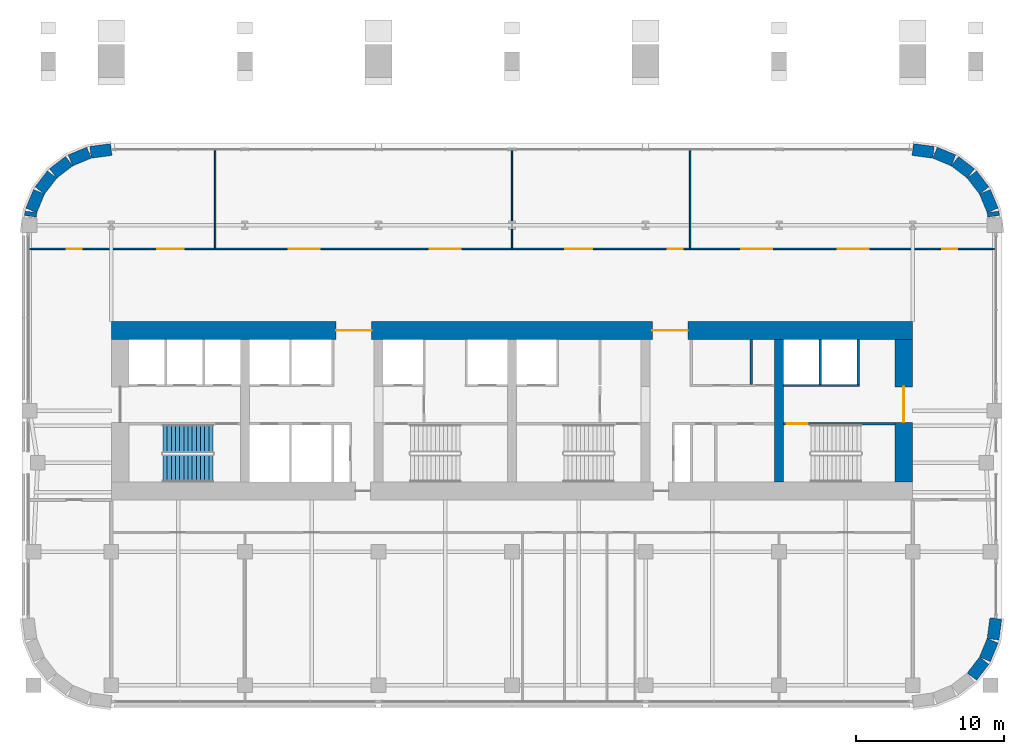
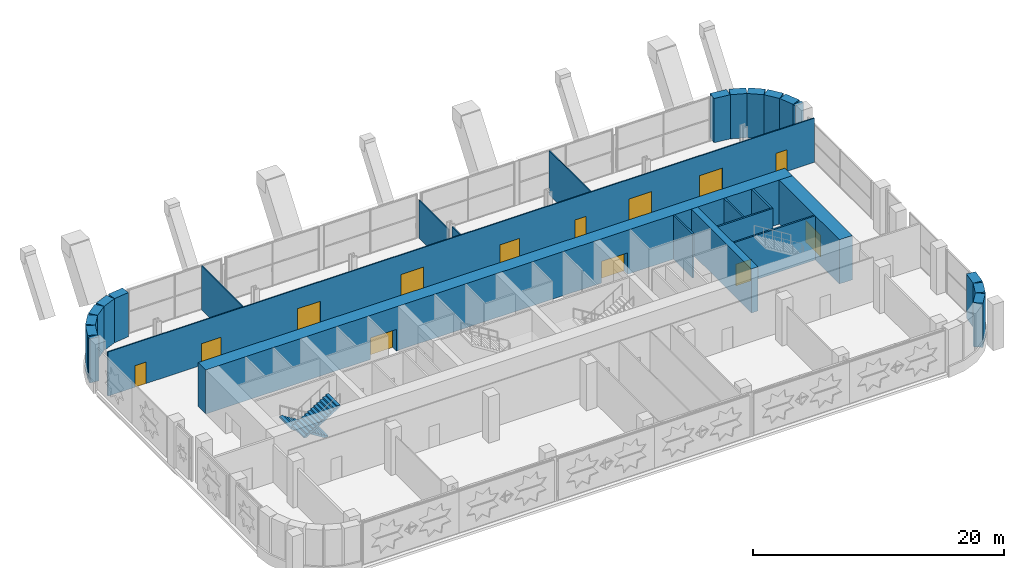
# One storey, part 18 of 24: 28 walls, 13 doors, 2 stair flights, 13 openings, 1 element without a shape of its own.
"""IFC4 building model written with IfcOpenShell, lengths in metres."""

from ifc_helpers import new_model, si_unit, direction, frame, frame_2d, origin, place, context, subcontext, project, spatial, polyline, rectangle, outline, extrude, material, layer, layer_set, type_object, element, fill, aggregate, save


model = new_model("IFC4")

# Units and contexts
model_context = context("Model", 3, precision=1e-05, world=origin(), true_north=direction((0.0, 1.0)))
body_context = subcontext(model_context, "Body", "Model", "MODEL_VIEW")
ifc_project = project(units=[si_unit("LENGTHUNIT", "METRE"), si_unit("AREAUNIT", "SQUARE_METRE"), si_unit("VOLUMEUNIT", "CUBIC_METRE"), si_unit("PLANEANGLEUNIT", "RADIAN"), si_unit("MASSUNIT", "GRAM", prefix="KILO")], contexts=[model_context])

# Site, building, storey
site_placement = place(None, origin())
site = spatial("IfcSite", under=ifc_project, at=site_placement, CompositionType="ELEMENT")
building_placement = place(site_placement, origin())
building = spatial("IfcBuilding", under=site, at=building_placement, Name="Zellij Exchange Tower", CompositionType="ELEMENT")
storey_placement = place(building_placement, frame((0.0, 0.0, 48.0)))
storey = spatial("IfcBuildingStorey", under=building, at=storey_placement, Name="L08", CompositionType="ELEMENT", Elevation=48.0)

# Walls
ifc_material_1 = material(Name="Concrete C70/85", Category="concrete")
ifc_layer_1 = layer(ifc_material_1, 0.60009765625)
ifc_layer_set_1 = layer_set([ifc_layer_1], Name="Concrete C70/85")
wall_type_1 = type_object("IfcWallType", Name="CORE-CW 600 C70/85", PredefinedType="SHEAR", material=ifc_layer_set_1)
wall_1_placement = place(storey_placement, frame((18.0, -12.800048828125, 0.0), z_axis=(0.0, 0.0, 1.0), x_axis=(0.0, 1.0, 0.0)))
element("IfcWall", 1, at=wall_1_placement, inside=storey, type_object=wall_type_1, Name="Core cross wall x 18 L08", PredefinedType="SHEAR", context=body_context, shape_type="SweptSolid", body=[
    extrude(rectangle(XDim=9.60009765625, YDim=0.60009765625, at=frame_2d((4.800048828125, 0.0))), origin(), (0.0, 0.0, 1.0), 4.300048828125),
])
ifc_material_2 = material(Name="Gypsum board partition")
ifc_layer_2 = layer(ifc_material_2, 0.14990234375)
ifc_layer_set_2 = layer_set([ifc_layer_2], Name="Gypsum board partition")
wall_type_2 = type_object("IfcWallType", Name="CORE-PW 150 Lift lobby wall", PredefinedType="PARTITIONING", material=ifc_layer_set_2)
wall_2_placement = place(storey_placement, frame((16.125, -6.22509765625, 0.0), z_axis=(0.0, 0.0, 1.0), x_axis=(0.0, 1.0, 0.0)))
element("IfcWall", 2, at=wall_2_placement, inside=storey, type_object=wall_type_2, Name="Lift lobby wall L08", PredefinedType="PARTITIONING", context=body_context, shape_type="SweptSolid", body=[
    extrude(rectangle(XDim=3.025146484375, YDim=0.14990234375, at=frame_2d((1.5126953125, 0.0))), origin(), (0.0, 0.0, 1.0), 4.300048828125),
])
ifc_material_3 = material(Name="Gypsum shaft wall system")
ifc_layer_3 = layer(ifc_material_3, 0.14990234375)
ifc_layer_set_3 = layer_set([ifc_layer_3], Name="Gypsum shaft wall system")
wall_type_3 = type_object("IfcWallType", Name="CORE-PW 150 Lift shaft wall", PredefinedType="PARTITIONING", material=ifc_layer_set_3)
for number, where, z_axis, x_axis, name in (
    (3, (20.77490234375, -6.22509765625, 0.0), (0.0, 0.0, 1.0), (0.0, 1.0, 0.0), "Lift shaft wall L08"),
    (4, (23.324951171875, -6.22509765625, 0.0), (0.0, 0.0, 1.0), (0.0, 1.0, 0.0), "Lift shaft wall L08"),
):
    element("IfcWall", number, at=place(storey_placement, frame(where, z_axis=z_axis, x_axis=x_axis)), inside=storey, type_object=wall_type_3, Name=name, PredefinedType="PARTITIONING", context=body_context, shape_type="SweptSolid", body=[
        extrude(rectangle(XDim=3.025146484375, YDim=0.14990234375, at=frame_2d((1.5126953125, 0.0))), origin(), (0.0, 0.0, 1.0), 4.300048828125),
    ])
wall_3_placement = place(storey_placement, frame((18.300048828125, -6.300048828125, 0.0), z_axis=(0.0, 0.0, 1.0), x_axis=(1.0, 0.0, 0.0)))
element("IfcWall", 5, at=wall_3_placement, inside=storey, type_object=wall_type_3, Name="Lift shaft wall L08", PredefinedType="PARTITIONING", context=body_context, shape_type="SweptSolid", body=[
    extrude(rectangle(XDim=5.099853515625, YDim=0.14990234375, at=frame_2d((2.5498046875, 0.0))), origin(), (0.0, 0.0, 1.0), 4.300048828125),
])

# Wall, openings, doors
ifc_layer_4 = layer(ifc_material_1, 1.199951171875)
ifc_layer_set_4 = layer_set([ifc_layer_4], Name="Concrete C70/85")
wall_type_4 = type_object("IfcWallType", Name="CORE-SW 1200 C70/85", PredefinedType="SHEAR", material=ifc_layer_set_4)
wall_4_placement = place(storey_placement, frame((-27.0, -2.60009765625, 0.0), z_axis=(0.0, 0.0, 1.0), x_axis=(1.0, 0.0, 0.0)))
wall_4 = element("IfcWall", 6, at=wall_4_placement, inside=storey, type_object=wall_type_4, Name="Core shear wall front L08", PredefinedType="SHEAR", context=body_context, shape_type="SweptSolid", body=[
    extrude(rectangle(XDim=54.0, YDim=1.199951171875, at=frame_2d((27.0, 0.0))), origin(), (0.0, 0.0, 1.0), 4.300048828125),
])
opening_1_placement = place(wall_4_placement, frame((15.14990234375, 0.0, 0.0)))
opening_1 = element("IfcOpeningElement", 7, at=opening_1_placement, cuts=wall_4, Name="Opening CA-06.11", PredefinedType="OPENING", context=body_context, shape_type="SweptSolid", body=[
    extrude(rectangle(XDim=2.39990234375, YDim=2.10009765625, at=frame_2d((1.199951171875, 1.050048828125))), frame((0.0, 0.61181640625, 0.0), z_axis=(0.0, -1.0, 0.0), x_axis=(1.0, 0.0, 0.0)), (0.0, 0.0, 1.0), 1.223876953125),
])
opening_2_placement = place(wall_4_placement, frame((36.449951171875, 0.0, 0.0)))
opening_2 = element("IfcOpeningElement", 8, at=opening_2_placement, cuts=wall_4, Name="Opening CA-06.21", PredefinedType="OPENING", context=body_context, shape_type="SweptSolid", body=[
    extrude(rectangle(XDim=2.39990234375, YDim=2.10009765625, at=frame_2d((1.199951171875, 1.050048828125))), frame((0.0, 0.61181640625, 0.0), z_axis=(0.0, -1.0, 0.0), x_axis=(1.0, 0.0, 0.0)), (0.0, 0.0, 1.0), 1.223876953125),
])
ifc_material_4 = material(Name="Hollow metal fire door")
door_type_1 = type_object("IfcDoorType", Name="CORE-D CE Core entrance door 2400x2100 20 MIN", OperationType="NOTDEFINED", PredefinedType="DOOR", material=ifc_material_4)
door_1_placement = place(opening_1_placement, origin())
door_1 = element("IfcDoor", 9, at=door_1_placement, inside=storey, type_object=door_type_1, Name="Core entrance door CA-06.11", OperationType="DOUBLE_DOOR_SINGLE_SWING", OverallHeight=2.10009765625, OverallWidth=2.39990234375, PredefinedType="DOOR", context=body_context, shape_type="SweptSolid", body=[
    extrude(rectangle(XDim=2.39990234375, YDim=2.10009765625, at=frame_2d((1.199951171875, 1.050048828125))), frame((0.0, 0.02490234375, 0.0), z_axis=(0.0, -1.0, 0.0), x_axis=(1.0, 0.0, 0.0)), (0.0, 0.0, 1.0), 0.050048828125),
])
fill(opening_1, door_1)
door_2_placement = place(opening_2_placement, origin())
door_2 = element("IfcDoor", 10, at=door_2_placement, inside=storey, type_object=door_type_1, Name="Core entrance door CA-06.21", OperationType="DOUBLE_DOOR_SINGLE_SWING", OverallHeight=2.10009765625, OverallWidth=2.39990234375, PredefinedType="DOOR", context=body_context, shape_type="SweptSolid", body=[
    extrude(rectangle(XDim=2.39990234375, YDim=2.10009765625, at=frame_2d((1.199951171875, 1.050048828125))), frame((0.0, 0.02490234375, 0.0), z_axis=(0.0, -1.0, 0.0), x_axis=(1.0, 0.0, 0.0)), (0.0, 0.0, 1.0), 0.050048828125),
])
fill(opening_2, door_2)

# Wall, opening, door
wall_5_placement = place(storey_placement, frame((26.39990234375, -12.800048828125, 0.0), z_axis=(0.0, 0.0, 1.0), x_axis=(0.0, 1.0, 0.0)))
wall_5 = element("IfcWall", 11, at=wall_5_placement, inside=storey, type_object=wall_type_4, Name="Core shear wall end e L08", PredefinedType="SHEAR", context=body_context, shape_type="SweptSolid", body=[
    extrude(rectangle(XDim=9.60009765625, YDim=1.199951171875, at=frame_2d((4.800048828125, 0.0))), origin(), (0.0, 0.0, 1.0), 4.300048828125),
])
opening_3_placement = place(wall_5_placement, frame((4.011962890625, 0.0, 0.0)))
opening_3 = element("IfcOpeningElement", 12, at=opening_3_placement, cuts=wall_5, Name="Opening CA-06.28", PredefinedType="OPENING", context=body_context, shape_type="SweptSolid", body=[
    extrude(rectangle(XDim=2.39990234375, YDim=2.10009765625, at=frame_2d((1.199951171875, 1.050048828125))), frame((0.0, 0.61181640625, 0.0), z_axis=(0.0, -1.0, 0.0), x_axis=(1.0, 0.0, 0.0)), (0.0, 0.0, 1.0), 1.223876953125),
])
door_3_placement = place(opening_3_placement, origin())
door_3 = element("IfcDoor", 13, at=door_3_placement, inside=storey, type_object=door_type_1, Name="Core entrance door CA-06.28", OperationType="DOUBLE_DOOR_SINGLE_SWING", OverallHeight=2.10009765625, OverallWidth=2.39990234375, PredefinedType="DOOR", context=body_context, shape_type="SweptSolid", body=[
    extrude(rectangle(XDim=2.39990234375, YDim=2.10009765625, at=frame_2d((1.199951171875, 1.050048828125))), frame((0.0, 0.02490234375, 0.0), z_axis=(0.0, -1.0, 0.0), x_axis=(1.0, 0.0, 0.0)), (0.0, 0.0, 1.0), 0.050048828125),
])
fill(opening_3, door_3)

ifc_layer_5 = layer(ifc_material_1, 0.14990234375)
ifc_layer_set_5 = layer_set([ifc_layer_5], Name="Concrete C70/85")
wall_type_5 = type_object("IfcWallType", Name="CORE-SWS 150 C70/85", PredefinedType="SHEAR", material=ifc_layer_set_5)
wall_6_placement = place(storey_placement, frame((18.300048828125, -8.875, 0.0), z_axis=(0.0, 0.0, 1.0), x_axis=(1.0, 0.0, 0.0)))
wall_6 = element("IfcWall", 14, at=wall_6_placement, inside=storey, type_object=wall_type_5, Name="Stair enclosure wall L08", PredefinedType="SHEAR", context=body_context, shape_type="SweptSolid", body=[
    extrude(rectangle(XDim=7.5, YDim=0.14990234375, at=frame_2d((3.75, 0.0))), origin(), (0.0, 0.0, 1.0), 4.300048828125),
])
opening_4_placement = place(wall_6_placement, frame((0.22509765625, 0.0, 0.0)))
opening_4 = element("IfcOpeningElement", 15, at=opening_4_placement, cuts=wall_6, Name="Opening CA-06.27", PredefinedType="OPENING", context=body_context, shape_type="SweptSolid", body=[
    extrude(rectangle(XDim=1.39990234375, YDim=2.10009765625, at=frame_2d((0.699951171875, 1.050048828125))), frame((0.0, 0.0869140625, 0.0), z_axis=(0.0, -1.0, 0.0), x_axis=(1.0, 0.0, 0.0)), (0.0, 0.0, 1.0), 0.173828125),
])
door_type_2 = type_object("IfcDoorType", Name="CORE-D SD Stair door 1400x2100 1.5 HR", OperationType="NOTDEFINED", PredefinedType="DOOR", material=ifc_material_4)
door_4_placement = place(opening_4_placement, origin())
door_4 = element("IfcDoor", 16, at=door_4_placement, inside=storey, type_object=door_type_2, Name="Stair door CA-06.27", OperationType="DOUBLE_DOOR_SINGLE_SWING", OverallHeight=2.10009765625, OverallWidth=1.39990234375, PredefinedType="DOOR", context=body_context, shape_type="SweptSolid", body=[
    extrude(rectangle(XDim=1.39990234375, YDim=2.10009765625, at=frame_2d((0.699951171875, 1.050048828125))), frame((0.0, 0.02490234375, 0.0), z_axis=(0.0, -1.0, 0.0), x_axis=(1.0, 0.0, 0.0)), (0.0, 0.0, 1.0), 0.050048828125),
])
fill(opening_4, door_4)

# Walls
ifc_material_5 = material(Name="Precast concrete C40/50", Category="concrete")
ifc_layer_6 = layer(ifc_material_5, 0.800048828125)
ifc_layer_set_6 = layer_set([ifc_layer_6], Name="Precast concrete C40/50")
wall_type_6 = type_object("IfcWallType", Name="ENV-EW1 Precast stone-piered wall 800", PredefinedType="SOLIDWALL", material=ifc_layer_set_6)
wall_7_placement = place(storey_placement, frame((30.9892578125, -25.91552734375, 0.0), z_axis=(0.0, 0.0, 1.0), x_axis=(0.608866226366, 0.793272915452, 0.0)))
element("IfcWall", 17, at=wall_7_placement, inside=storey, type_object=wall_type_6, Name="fac.L08.04", PredefinedType="SOLIDWALL", context=body_context, shape_type="SweptSolid", body=[
    extrude(rectangle(XDim=1.355712890625, YDim=0.800048828125, at=frame_2d((0.677734375, 0.0))), origin(), (0.0, 0.0, 1.0), 4.300048828125),
])
wall_8_placement = place(storey_placement, frame((31.866943359375, -24.74951171875, 0.0), z_axis=(0.0, 0.0, 1.0), x_axis=(0.38276009378, 0.923847774587, 0.0)))
element("IfcWall", 18, at=wall_8_placement, inside=storey, type_object=wall_type_6, Name="fac.L08.05", PredefinedType="SOLIDWALL", context=body_context, shape_type="SweptSolid", body=[
    extrude(rectangle(XDim=1.35546875, YDim=0.800048828125, at=frame_2d((0.677734375, 0.0))), origin(), (0.0, 0.0, 1.0), 4.300048828125),
])
wall_9_placement = place(storey_placement, frame((32.412841796875, -23.396240234375, 0.0), z_axis=(0.0, 0.0, 1.0), x_axis=(0.130517283865, 0.99144603414, 0.0)))
element("IfcWall", 19, at=wall_9_placement, inside=storey, type_object=wall_type_6, Name="fac.L08.06", PredefinedType="SOLIDWALL", context=body_context, shape_type="SweptSolid", body=[
    extrude(rectangle(XDim=1.408447265625, YDim=0.800048828125, at=frame_2d((0.7041015625, 0.0))), origin(), (0.0, 0.0, 1.0), 4.300048828125),
])
wall_10_placement = place(storey_placement, frame((32.451416015625, 5.101806640625, 0.0), z_axis=(0.0, 0.0, 1.0), x_axis=(-0.129901534033, 0.991526899008, 0.0)))
element("IfcWall", 20, at=wall_10_placement, inside=storey, type_object=wall_type_6, Name="fac.L08.08", PredefinedType="SOLIDWALL", context=body_context, shape_type="SweptSolid", body=[
    extrude(rectangle(XDim=0.296875, YDim=0.800048828125, at=frame_2d((0.1484375, 0.0))), origin(), (0.0, 0.0, 1.0), 4.300048828125),
])
wall_11_placement = place(storey_placement, frame((32.3857421875, 5.497314453125, 0.0), z_axis=(0.0, 0.0, 1.0), x_axis=(-0.38276009378, 0.923847774587, 0.0)))
element("IfcWall", 21, at=wall_11_placement, inside=storey, type_object=wall_type_6, Name="fac.L08.09", PredefinedType="SOLIDWALL", context=body_context, shape_type="SweptSolid", body=[
    extrude(rectangle(XDim=1.35546875, YDim=0.800048828125, at=frame_2d((0.677734375, 0.0))), origin(), (0.0, 0.0, 1.0), 4.300048828125),
])
for number, where, z_axis, x_axis, name in (
    (22, (31.814697265625, 6.840087890625, 0.0), (0.0, 0.0, 1.0), (-0.608866226366, 0.793272915452, 0.0), "fac.L08.10"),
    (23, (30.91552734375, 7.9892578125, 0.0), (0.0, 0.0, 1.0), (-0.793272915452, 0.608866226366, 0.0), "fac.L08.11"),
):
    element("IfcWall", number, at=place(storey_placement, frame(where, z_axis=z_axis, x_axis=x_axis)), inside=storey, type_object=wall_type_6, Name=name, PredefinedType="SOLIDWALL", context=body_context, shape_type="SweptSolid", body=[
        extrude(rectangle(XDim=1.355712890625, YDim=0.800048828125, at=frame_2d((0.677734375, 0.0))), origin(), (0.0, 0.0, 1.0), 4.300048828125),
    ])
wall_12_placement = place(storey_placement, frame((29.74951171875, 8.866943359375, 0.0), z_axis=(0.0, 0.0, 1.0), x_axis=(-0.923847774587, 0.38276009378, 0.0)))
element("IfcWall", 24, at=wall_12_placement, inside=storey, type_object=wall_type_6, Name="fac.L08.12", PredefinedType="SOLIDWALL", context=body_context, shape_type="SweptSolid", body=[
    extrude(rectangle(XDim=1.35546875, YDim=0.800048828125, at=frame_2d((0.677734375, 0.0))), origin(), (0.0, 0.0, 1.0), 4.300048828125),
])
for number, where, z_axis, x_axis, name in (
    (25, (28.396240234375, 9.412841796875, 0.0), (0.0, 0.0, 1.0), (-0.99144603414, 0.130517283865, 0.0), "fac.L08.13"),
    (26, (-26.999755859375, 9.5966796875, 0.0), (0.0, 0.0, 1.0), (-0.99144603414, -0.130517283865, 0.0), "fac.L08.15"),
):
    element("IfcWall", number, at=place(storey_placement, frame(where, z_axis=z_axis, x_axis=x_axis)), inside=storey, type_object=wall_type_6, Name=name, PredefinedType="SOLIDWALL", context=body_context, shape_type="SweptSolid", body=[
        extrude(rectangle(XDim=1.408447265625, YDim=0.800048828125, at=frame_2d((0.7041015625, 0.0))), origin(), (0.0, 0.0, 1.0), 4.300048828125),
    ])
wall_13_placement = place(storey_placement, frame((-28.497314453125, 9.3857421875, 0.0), z_axis=(0.0, 0.0, 1.0), x_axis=(-0.923847774587, -0.38276009378, 0.0)))
element("IfcWall", 27, at=wall_13_placement, inside=storey, type_object=wall_type_6, Name="fac.L08.16", PredefinedType="SOLIDWALL", context=body_context, shape_type="SweptSolid", body=[
    extrude(rectangle(XDim=1.35546875, YDim=0.800048828125, at=frame_2d((0.677734375, 0.0))), origin(), (0.0, 0.0, 1.0), 4.300048828125),
])
for number, where, z_axis, x_axis, name in (
    (28, (-29.840087890625, 8.814697265625, 0.0), (0.0, 0.0, 1.0), (-0.793272915452, -0.608866226366, 0.0), "fac.L08.17"),
    (29, (-30.9892578125, 7.91552734375, 0.0), (0.0, 0.0, 1.0), (-0.608866226366, -0.793272915452, 0.0), "fac.L08.18"),
):
    element("IfcWall", number, at=place(storey_placement, frame(where, z_axis=z_axis, x_axis=x_axis)), inside=storey, type_object=wall_type_6, Name=name, PredefinedType="SOLIDWALL", context=body_context, shape_type="SweptSolid", body=[
        extrude(rectangle(XDim=1.355712890625, YDim=0.800048828125, at=frame_2d((0.677734375, 0.0))), origin(), (0.0, 0.0, 1.0), 4.300048828125),
    ])
wall_14_placement = place(storey_placement, frame((-31.866943359375, 6.74951171875, 0.0), z_axis=(0.0, 0.0, 1.0), x_axis=(-0.38276009378, -0.923847774587, 0.0)))
element("IfcWall", 30, at=wall_14_placement, inside=storey, type_object=wall_type_6, Name="fac.L08.19", PredefinedType="SOLIDWALL", context=body_context, shape_type="SweptSolid", body=[
    extrude(rectangle(XDim=1.35546875, YDim=0.800048828125, at=frame_2d((0.677734375, 0.0))), origin(), (0.0, 0.0, 1.0), 4.300048828125),
])
wall_15_placement = place(storey_placement, frame((-32.412841796875, 5.396240234375, 0.0), z_axis=(0.0, 0.0, 1.0), x_axis=(-0.129901534033, -0.991526899008, 0.0)))
element("IfcWall", 31, at=wall_15_placement, inside=storey, type_object=wall_type_6, Name="fac.L08.20", PredefinedType="SOLIDWALL", context=body_context, shape_type="SweptSolid", body=[
    extrude(rectangle(XDim=0.296875, YDim=0.800048828125, at=frame_2d((0.1484375, 0.0))), origin(), (0.0, 0.0, 1.0), 4.300048828125),
])

# Wall, openings, doors
ifc_material_6 = material(Name="Gypsum board partition on steel studs", Category="steel")
ifc_layer_7 = layer(ifc_material_6, 0.10009765625)
ifc_layer_set_7 = layer_set([ifc_layer_7], Name="Gypsum board partition on steel studs")
wall_type_7 = type_object("IfcWallType", Name="FIT-PARTITION-100", PredefinedType="PARTITIONING", material=ifc_layer_set_7)
wall_16_placement = place(storey_placement, frame((-32.51611328125, 2.89990234375, 0.0), z_axis=(0.0, 0.0, 1.0), x_axis=(1.0, 0.0, 0.0)))
wall_16 = element("IfcWall", 32, at=wall_16_placement, inside=storey, type_object=wall_type_7, Name="FIT-PARTITION-100 018", PredefinedType="PARTITIONING", context=body_context, shape_type="SweptSolid", body=[
    extrude(rectangle(XDim=65.0322265625, YDim=0.10009765625, at=frame_2d((32.51611328125, 0.0))), origin(), (0.0, 0.0, 1.0), 4.300048828125),
])
opening_5_placement = place(wall_16_placement, frame((2.51611328125, 0.0, 0.0)))
opening_5 = element("IfcOpeningElement", 33, at=opening_5_placement, cuts=wall_16, Name="Opening G8.10", PredefinedType="OPENING", context=body_context, shape_type="SweptSolid", body=[
    extrude(rectangle(XDim=1.0, YDim=2.10009765625, at=frame_2d((0.5, 1.050048828125))), frame((0.0, 0.06201171875, 0.0), z_axis=(0.0, -1.0, 0.0), x_axis=(1.0, 0.0, 0.0)), (0.0, 0.0, 1.0), 0.1240234375),
])
opening_6_placement = place(wall_16_placement, frame((8.615966796875, 0.0, 0.0)))
opening_6 = element("IfcOpeningElement", 34, at=opening_6_placement, cuts=wall_16, Name="Opening G8.11", PredefinedType="OPENING", context=body_context, shape_type="SweptSolid", body=[
    extrude(rectangle(XDim=1.800048828125, YDim=2.10009765625, at=frame_2d((0.89990234375, 1.050048828125))), frame((0.0, 0.06201171875, 0.0), z_axis=(0.0, -1.0, 0.0), x_axis=(1.0, 0.0, 0.0)), (0.0, 0.0, 1.0), 0.1240234375),
])
opening_7_placement = place(wall_16_placement, frame((17.466064453125, 0.0, 0.0)))
opening_7 = element("IfcOpeningElement", 35, at=opening_7_placement, cuts=wall_16, Name="Opening G8.12", PredefinedType="OPENING", context=body_context, shape_type="SweptSolid", body=[
    extrude(rectangle(XDim=2.10009765625, YDim=2.39990234375, at=frame_2d((1.050048828125, 1.199951171875))), frame((0.0, 0.06201171875, 0.0), z_axis=(0.0, -1.0, 0.0), x_axis=(1.0, 0.0, 0.0)), (0.0, 0.0, 1.0), 0.1240234375),
])
opening_8_placement = place(wall_16_placement, frame((26.966064453125, 0.0, 0.0)))
opening_8 = element("IfcOpeningElement", 36, at=opening_8_placement, cuts=wall_16, Name="Opening G8.13", PredefinedType="OPENING", context=body_context, shape_type="SweptSolid", body=[
    extrude(rectangle(XDim=2.10009765625, YDim=2.39990234375, at=frame_2d((1.050048828125, 1.199951171875))), frame((0.0, 0.06201171875, 0.0), z_axis=(0.0, -1.0, 0.0), x_axis=(1.0, 0.0, 0.0)), (0.0, 0.0, 1.0), 0.1240234375),
])
opening_9_placement = place(wall_16_placement, frame((36.115966796875, 0.0, 0.0)))
opening_9 = element("IfcOpeningElement", 37, at=opening_9_placement, cuts=wall_16, Name="Opening G8.14", PredefinedType="OPENING", context=body_context, shape_type="SweptSolid", body=[
    extrude(rectangle(XDim=1.800048828125, YDim=2.10009765625, at=frame_2d((0.89990234375, 1.050048828125))), frame((0.0, 0.06201171875, 0.0), z_axis=(0.0, -1.0, 0.0), x_axis=(1.0, 0.0, 0.0)), (0.0, 0.0, 1.0), 0.1240234375),
])
opening_10_placement = place(wall_16_placement, frame((43.01611328125, 0.0, 0.0)))
opening_10 = element("IfcOpeningElement", 38, at=opening_10_placement, cuts=wall_16, Name="Opening G8.15", PredefinedType="OPENING", context=body_context, shape_type="SweptSolid", body=[
    extrude(rectangle(XDim=1.0, YDim=2.10009765625, at=frame_2d((0.5, 1.050048828125))), frame((0.0, 0.06201171875, 0.0), z_axis=(0.0, -1.0, 0.0), x_axis=(1.0, 0.0, 0.0)), (0.0, 0.0, 1.0), 0.1240234375),
])
opening_11_placement = place(wall_16_placement, frame((47.966064453125, 0.0, 0.0)))
opening_11 = element("IfcOpeningElement", 39, at=opening_11_placement, cuts=wall_16, Name="Opening G8.16", PredefinedType="OPENING", context=body_context, shape_type="SweptSolid", body=[
    extrude(rectangle(XDim=2.10009765625, YDim=2.39990234375, at=frame_2d((1.050048828125, 1.199951171875))), frame((0.0, 0.06201171875, 0.0), z_axis=(0.0, -1.0, 0.0), x_axis=(1.0, 0.0, 0.0)), (0.0, 0.0, 1.0), 0.1240234375),
])
opening_12_placement = place(wall_16_placement, frame((54.466064453125, 0.0, 0.0)))
opening_12 = element("IfcOpeningElement", 40, at=opening_12_placement, cuts=wall_16, Name="Opening G8.17", PredefinedType="OPENING", context=body_context, shape_type="SweptSolid", body=[
    extrude(rectangle(XDim=2.10009765625, YDim=2.39990234375, at=frame_2d((1.050048828125, 1.199951171875))), frame((0.0, 0.06201171875, 0.0), z_axis=(0.0, -1.0, 0.0), x_axis=(1.0, 0.0, 0.0)), (0.0, 0.0, 1.0), 0.1240234375),
])
opening_13_placement = place(wall_16_placement, frame((61.51611328125, 0.0, 0.0)))
opening_13 = element("IfcOpeningElement", 41, at=opening_13_placement, cuts=wall_16, Name="Opening G8.18", PredefinedType="OPENING", context=body_context, shape_type="SweptSolid", body=[
    extrude(rectangle(XDim=1.0, YDim=2.10009765625, at=frame_2d((0.5, 1.050048828125))), frame((0.0, 0.06201171875, 0.0), z_axis=(0.0, -1.0, 0.0), x_axis=(1.0, 0.0, 0.0)), (0.0, 0.0, 1.0), 0.1240234375),
])
ifc_material_7 = material(Name="Timber door set", Category="wood")
door_type_3 = type_object("IfcDoorType", Name="FIT-D2-WIDE-1000X2100", OperationType="SINGLE_SWING_LEFT", PredefinedType="DOOR", material=ifc_material_7)
door_5_placement = place(opening_5_placement, origin())
door_5 = element("IfcDoor", 42, at=door_5_placement, inside=storey, type_object=door_type_3, Name="Door G8.10", OperationType="SINGLE_SWING_RIGHT", OverallHeight=2.10009765625, OverallWidth=1.0, PredefinedType="DOOR", context=body_context, shape_type="SweptSolid", body=[
    extrude(rectangle(XDim=1.0, YDim=2.10009765625, at=frame_2d((0.5, 1.050048828125))), frame((0.0, 0.02490234375, 0.0), z_axis=(0.0, -1.0, 0.0), x_axis=(1.0, 0.0, 0.0)), (0.0, 0.0, 1.0), 0.050048828125),
])
fill(opening_5, door_5)
door_6_placement = place(opening_10_placement, origin())
door_6 = element("IfcDoor", 43, at=door_6_placement, inside=storey, type_object=door_type_3, Name="Door G8.15", OperationType="SINGLE_SWING_RIGHT", OverallHeight=2.10009765625, OverallWidth=1.0, PredefinedType="DOOR", context=body_context, shape_type="SweptSolid", body=[
    extrude(rectangle(XDim=1.0, YDim=2.10009765625, at=frame_2d((0.5, 1.050048828125))), frame((0.0, 0.02490234375, 0.0), z_axis=(0.0, -1.0, 0.0), x_axis=(1.0, 0.0, 0.0)), (0.0, 0.0, 1.0), 0.050048828125),
])
fill(opening_10, door_6)
door_7_placement = place(opening_13_placement, origin())
door_7 = element("IfcDoor", 44, at=door_7_placement, inside=storey, type_object=door_type_3, Name="Door G8.18", OperationType="SINGLE_SWING_LEFT", OverallHeight=2.10009765625, OverallWidth=1.0, PredefinedType="DOOR", context=body_context, shape_type="SweptSolid", body=[
    extrude(rectangle(XDim=1.0, YDim=2.10009765625, at=frame_2d((0.5, 1.050048828125))), frame((0.0, 0.02490234375, 0.0), z_axis=(0.0, -1.0, 0.0), x_axis=(1.0, 0.0, 0.0)), (0.0, 0.0, 1.0), 0.050048828125),
])
fill(opening_13, door_7)
door_type_4 = type_object("IfcDoorType", Name="FIT-D3-DOUBLE-1800X2100", OperationType="DOUBLE_DOOR_SINGLE_SWING", PredefinedType="DOOR", material=ifc_material_7)
door_8_placement = place(opening_6_placement, origin())
door_8 = element("IfcDoor", 45, at=door_8_placement, inside=storey, type_object=door_type_4, Name="Door G8.11", OperationType="DOUBLE_DOOR_SINGLE_SWING", OverallHeight=2.10009765625, OverallWidth=1.800048828125, PredefinedType="DOOR", context=body_context, shape_type="SweptSolid", body=[
    extrude(rectangle(XDim=1.800048828125, YDim=2.10009765625, at=frame_2d((0.89990234375, 1.050048828125))), frame((0.0, 0.02490234375, 0.0), z_axis=(0.0, -1.0, 0.0), x_axis=(1.0, 0.0, 0.0)), (0.0, 0.0, 1.0), 0.050048828125),
])
fill(opening_6, door_8)
door_9_placement = place(opening_9_placement, origin())
door_9 = element("IfcDoor", 46, at=door_9_placement, inside=storey, type_object=door_type_4, Name="Door G8.14", OperationType="DOUBLE_DOOR_SINGLE_SWING", OverallHeight=2.10009765625, OverallWidth=1.800048828125, PredefinedType="DOOR", context=body_context, shape_type="SweptSolid", body=[
    extrude(rectangle(XDim=1.800048828125, YDim=2.10009765625, at=frame_2d((0.89990234375, 1.050048828125))), frame((0.0, 0.02490234375, 0.0), z_axis=(0.0, -1.0, 0.0), x_axis=(1.0, 0.0, 0.0)), (0.0, 0.0, 1.0), 0.050048828125),
])
fill(opening_9, door_9)
door_type_5 = type_object("IfcDoorType", Name="FIT-D7-ASSEMBLY-2100X2400", OperationType="DOUBLE_DOOR_SINGLE_SWING", PredefinedType="DOOR", material=ifc_material_7)
door_10_placement = place(opening_7_placement, origin())
door_10 = element("IfcDoor", 47, at=door_10_placement, inside=storey, type_object=door_type_5, Name="Door G8.12", OperationType="DOUBLE_DOOR_SINGLE_SWING", OverallHeight=2.39990234375, OverallWidth=2.10009765625, PredefinedType="DOOR", context=body_context, shape_type="SweptSolid", body=[
    extrude(rectangle(XDim=2.10009765625, YDim=2.39990234375, at=frame_2d((1.050048828125, 1.199951171875))), frame((0.0, 0.02490234375, 0.0), z_axis=(0.0, -1.0, 0.0), x_axis=(1.0, 0.0, 0.0)), (0.0, 0.0, 1.0), 0.050048828125),
])
fill(opening_7, door_10)
door_11_placement = place(opening_8_placement, origin())
door_11 = element("IfcDoor", 48, at=door_11_placement, inside=storey, type_object=door_type_5, Name="Door G8.13", OperationType="DOUBLE_DOOR_SINGLE_SWING", OverallHeight=2.39990234375, OverallWidth=2.10009765625, PredefinedType="DOOR", context=body_context, shape_type="SweptSolid", body=[
    extrude(rectangle(XDim=2.10009765625, YDim=2.39990234375, at=frame_2d((1.050048828125, 1.199951171875))), frame((0.0, 0.02490234375, 0.0), z_axis=(0.0, -1.0, 0.0), x_axis=(1.0, 0.0, 0.0)), (0.0, 0.0, 1.0), 0.050048828125),
])
fill(opening_8, door_11)
door_12_placement = place(opening_11_placement, origin())
door_12 = element("IfcDoor", 49, at=door_12_placement, inside=storey, type_object=door_type_5, Name="Door G8.16", OperationType="DOUBLE_DOOR_SINGLE_SWING", OverallHeight=2.39990234375, OverallWidth=2.10009765625, PredefinedType="DOOR", context=body_context, shape_type="SweptSolid", body=[
    extrude(rectangle(XDim=2.10009765625, YDim=2.39990234375, at=frame_2d((1.050048828125, 1.199951171875))), frame((0.0, 0.02490234375, 0.0), z_axis=(0.0, -1.0, 0.0), x_axis=(1.0, 0.0, 0.0)), (0.0, 0.0, 1.0), 0.050048828125),
])
fill(opening_11, door_12)
door_13_placement = place(opening_12_placement, origin())
door_13 = element("IfcDoor", 50, at=door_13_placement, inside=storey, type_object=door_type_5, Name="Door G8.17", OperationType="DOUBLE_DOOR_SINGLE_SWING", OverallHeight=2.39990234375, OverallWidth=2.10009765625, PredefinedType="DOOR", context=body_context, shape_type="SweptSolid", body=[
    extrude(rectangle(XDim=2.10009765625, YDim=2.39990234375, at=frame_2d((1.050048828125, 1.199951171875))), frame((0.0, 0.02490234375, 0.0), z_axis=(0.0, -1.0, 0.0), x_axis=(1.0, 0.0, 0.0)), (0.0, 0.0, 1.0), 0.050048828125),
])
fill(opening_12, door_13)

# Walls
wall_17_placement = place(storey_placement, frame((-20.0, 2.949951171875, 0.0), z_axis=(0.0, 0.0, 1.0), x_axis=(0.0, 1.0, 0.0)))
element("IfcWall", 51, at=wall_17_placement, inside=storey, type_object=wall_type_7, Name="FIT-PARTITION-100 019", PredefinedType="PARTITIONING", context=body_context, shape_type="SweptSolid", body=[
    extrude(rectangle(XDim=6.566162109375, YDim=0.10009765625, at=frame_2d((3.283203125, 0.0))), origin(), (0.0, 0.0, 1.0), 4.300048828125),
])
wall_18_placement = place(storey_placement, frame((0.0, 2.949951171875, 0.0), z_axis=(0.0, 0.0, 1.0), x_axis=(0.0, 1.0, 0.0)))
element("IfcWall", 52, at=wall_18_placement, inside=storey, type_object=wall_type_7, Name="FIT-PARTITION-100 020", PredefinedType="PARTITIONING", context=body_context, shape_type="SweptSolid", body=[
    extrude(rectangle(XDim=1.265625, YDim=0.10009765625, at=frame_2d((0.6328125, 0.0))), origin(), (0.0, 0.0, 1.0), 4.300048828125),
])
wall_19_placement = place(storey_placement, frame((0.0, 4.784423828125, 0.0), z_axis=(0.0, 0.0, 1.0), x_axis=(0.0, 1.0, 0.0)))
element("IfcWall", 53, at=wall_19_placement, inside=storey, type_object=wall_type_7, Name="FIT-PARTITION-100 021", PredefinedType="PARTITIONING", context=body_context, shape_type="SweptSolid", body=[
    extrude(rectangle(XDim=4.715576171875, YDim=0.10009765625, at=frame_2d((2.35791015625, 0.0))), origin(), (0.0, 0.0, 1.0), 3.687744140625),
])
wall_20_placement = place(storey_placement, frame((12.0, 2.949951171875, 0.0), z_axis=(0.0, 0.0, 1.0), x_axis=(0.0, 1.0, 0.0)))
element("IfcWall", 54, at=wall_20_placement, inside=storey, type_object=wall_type_7, Name="FIT-PARTITION-100 022", PredefinedType="PARTITIONING", context=body_context, shape_type="SweptSolid", body=[
    extrude(rectangle(XDim=6.566162109375, YDim=0.10009765625, at=frame_2d((3.283203125, 0.0))), origin(), (0.0, 0.0, 1.0), 4.300048828125),
])

# Stair, stair flights
ifc_material_8 = material(Name="Concrete C40/50", Category="concrete")
stair_type = type_object("IfcStairType", Name="CORE-ST exit stair 1850 wide", PredefinedType="HALF_TURN_STAIR", material=ifc_material_8)
stair_placement = place(storey_placement, origin())
stair = element("IfcStair", 55, at=stair_placement, inside=storey, type_object=stair_type, Name="L08 exit stair ST1", PredefinedType="HALF_TURN_STAIR")
stair_flight_type = type_object("IfcStairFlightType", Name="CORE-SF flight 1850 riser 173.1 going 280", PredefinedType="STRAIGHT", material=ifc_material_8)
stair_flight_1_placement = place(storey_placement, frame((-20.14990234375, -9.875, 0.0), z_axis=(0.0, 0.0, 1.0), x_axis=(-1.0, 0.0, 0.0)))
stair_flight_1 = element("IfcStairFlight", 56, at=stair_flight_1_placement, type_object=stair_flight_type, Name="ST1 flight 1", NumberOfRisers=13, NumberOfTreads=12, PredefinedType="STRAIGHT", RiserHeight=0.173076923, TreadLength=0.28, context=body_context, shape_type="SweptSolid", body=[
    extrude(outline(polyline([(0.0, 0.0), (0.0, 0.173095703125), (0.280029296875, 0.173095703125), (0.280029296875, 0.34619140625), (0.56005859375, 0.34619140625), (0.56005859375, 0.519287109375), (0.840087890625, 0.519287109375), (0.840087890625, 0.6923828125), (1.1201171875, 0.6923828125), (1.1201171875, 0.865478515625), (1.39990234375, 0.865478515625), (1.39990234375, 1.03857421875), (1.679931640625, 1.03857421875), (1.679931640625, 1.21142578125), (1.9599609375, 1.21142578125), (1.9599609375, 1.384521484375), (2.239990234375, 1.384521484375), (2.239990234375, 1.5576171875), (2.52001953125, 1.5576171875), (2.52001953125, 1.730712890625), (2.800048828125, 1.730712890625), (2.800048828125, 1.90380859375), (3.080078125, 1.90380859375), (3.080078125, 2.076904296875), (3.360107421875, 2.076904296875), (3.360107421875, 2.25), (3.360107421875, 1.900634765625), (0.28515625, 0.0), (0.0, 0.0)])), frame((0.0, 0.925048828125, 0.0), z_axis=(0.0, -1.0, 0.0), x_axis=(1.0, 0.0, 0.0)), (0.0, 0.0, 1.0), 1.85009765625),
])
stair_flight_2_placement = place(storey_placement, frame((-23.510009765625, -11.875, 2.25), z_axis=(0.0, 0.0, 1.0), x_axis=(1.0, 0.0, 0.0)))
stair_flight_2 = element("IfcStairFlight", 57, at=stair_flight_2_placement, type_object=stair_flight_type, Name="ST1 flight 2", NumberOfRisers=13, NumberOfTreads=12, PredefinedType="STRAIGHT", RiserHeight=0.173076923, TreadLength=0.28, context=body_context, shape_type="SweptSolid", body=[
    extrude(outline(polyline([(0.0, 0.0), (0.0, 0.173095703125), (0.280029296875, 0.173095703125), (0.280029296875, 0.34619140625), (0.56005859375, 0.34619140625), (0.56005859375, 0.519287109375), (0.840087890625, 0.519287109375), (0.840087890625, 0.6923828125), (1.1201171875, 0.6923828125), (1.1201171875, 0.865478515625), (1.39990234375, 0.865478515625), (1.39990234375, 1.03857421875), (1.679931640625, 1.03857421875), (1.679931640625, 1.21142578125), (1.9599609375, 1.21142578125), (1.9599609375, 1.384521484375), (2.239990234375, 1.384521484375), (2.239990234375, 1.5576171875), (2.52001953125, 1.5576171875), (2.52001953125, 1.730712890625), (2.800048828125, 1.730712890625), (2.800048828125, 1.90380859375), (3.080078125, 1.90380859375), (3.080078125, 2.076904296875), (3.360107421875, 2.076904296875), (3.360107421875, 2.25), (3.360107421875, 1.900634765625), (0.28515625, 0.0), (0.0, 0.0)])), frame((0.0, 0.925048828125, 0.0), z_axis=(0.0, -1.0, 0.0), x_axis=(1.0, 0.0, 0.0)), (0.0, 0.0, 1.0), 1.85009765625),
])
aggregate(stair, [stair_flight_1, stair_flight_2])

save(model, "model.ifc")
